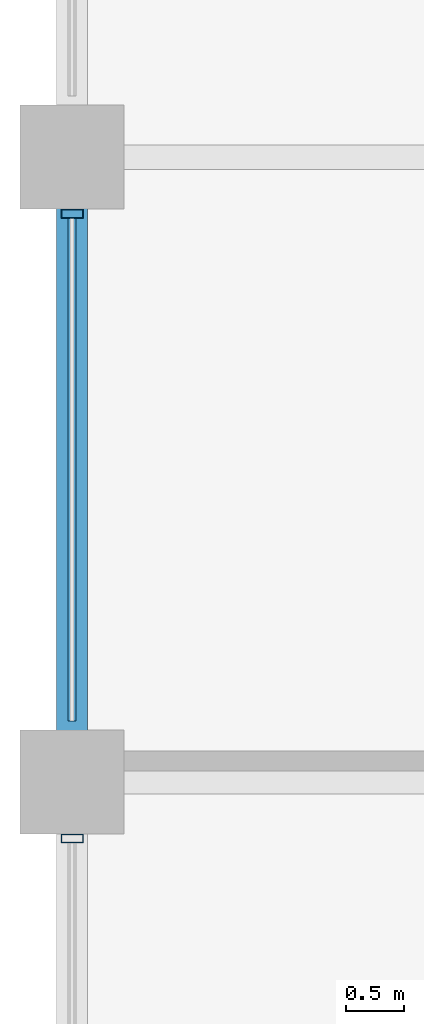
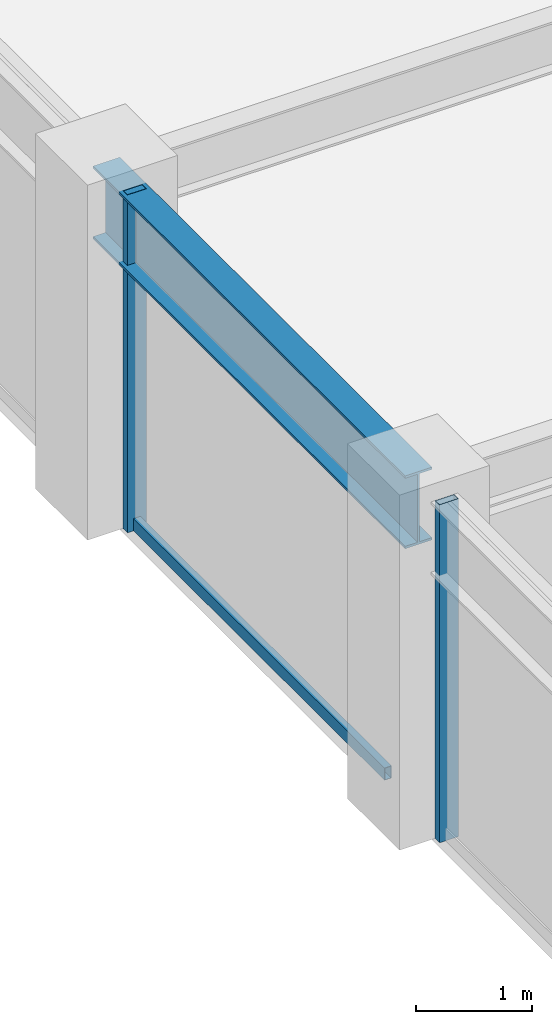
# One storey, part 10 of 32: 3 members, 1 beam, 1 element without a shape of its own.
"""IFC4 building model written with IfcOpenShell, lengths in metres."""

import ifcopenshell
import ifcopenshell.guid

model = None  # the IFC model being written
_history = None  # IfcOwnerHistory: only IFC2X3 demands one
_inside = {}  # id of a spatial element -> (the spatial element, [elements in it])
_under = {}  # id of a project, library or spatial element -> (it, [spatial elements below it])
_declared = {}  # id of a project -> (the project, [libraries it declares])
_typed = {}  # id of a type object -> (the type object, [elements of that type])
_made_of = {}  # id of a material, layer set ... -> (it, [elements and type objects made of it])


def new_model(schema):
    """Start an empty IFC model of exactly this schema.

    Asked for "IFC4X3", IfcOpenShell would pick the latest addendum, in which some entities
    have other attributes; the version numbers below select the first issue.
    IFC2X3 requires an IfcOwnerHistory on every rooted entity: one is made here for all.
    """
    global model, _history
    if schema == "IFC4X3":
        model = ifcopenshell.file(schema_version=(4, 3, 0, 0))
    else:
        model = ifcopenshell.file(schema=schema)
    _inside.clear()
    _under.clear()
    _declared.clear()
    _typed.clear()
    _made_of.clear()
    _history = None
    if model.schema == "IFC2X3":
        org = make("IfcOrganization", Name="unknown")
        user = make(
            "IfcPersonAndOrganization",
            ThePerson=make("IfcPerson", FamilyName="unknown"),
            TheOrganization=org,
        )
        app = make(
            "IfcApplication",
            ApplicationDeveloper=org,
            Version="unknown",
            ApplicationFullName="unknown",
            ApplicationIdentifier="unknown",
        )
        _history = make(
            "IfcOwnerHistory",
            OwningUser=user,
            OwningApplication=app,
            ChangeAction="ADDED",
            CreationDate=0,
        )
    return model


def make(cls, **values):
    """One entity of the class cls with the attributes given. An attribute that is None is left unset."""
    return model.create_entity(
        cls, **{name: value for name, value in values.items() if value is not None}
    )


def rooted(cls, **values):
    """An entity with a GlobalId (a new one), such as an element, a storey or a relation."""
    return make(cls, GlobalId=ifcopenshell.guid.new(), OwnerHistory=_history, **values)


def si_unit(unit_type, name, prefix=None):
    """IfcSIUnit, for example si_unit("LENGTHUNIT", "METRE", prefix="MILLI")."""
    return make("IfcSIUnit", UnitType=unit_type, Prefix=prefix, Name=name)


def assignment(units):
    """IfcUnitAssignment: the units of a project."""
    return None if units is None else make("IfcUnitAssignment", Units=units)


def point(xyz):
    """IfcCartesianPoint."""
    return None if xyz is None else make("IfcCartesianPoint", Coordinates=xyz)


def direction(xyz):
    """IfcDirection."""
    return None if xyz is None else make("IfcDirection", DirectionRatios=xyz)


def frame(location, z_axis=None, x_axis=None):
    """IfcAxis2Placement3D, a coordinate frame: its origin and axes. An axis left out is left unset."""
    return make(
        "IfcAxis2Placement3D",
        Location=point(location),
        Axis=direction(z_axis),
        RefDirection=direction(x_axis),
    )


def frame_2d(location, x_axis=None):
    """IfcAxis2Placement2D, a coordinate frame in the plane: its origin and x axis."""
    return make(
        "IfcAxis2Placement2D", Location=point(location), RefDirection=direction(x_axis)
    )


def origin():
    """The frame at (0, 0, 0) with its axes left unset."""
    return frame((0.0, 0.0, 0.0))


def origin_2d():
    """The frame at (0, 0) in the plane with its x axis left unset."""
    return frame_2d((0.0, 0.0))


def place(relative_to, where):
    """IfcLocalPlacement: puts the frame where relative to a parent placement (None: the world)."""
    return make(
        "IfcLocalPlacement", PlacementRelTo=relative_to, RelativePlacement=where
    )


def context(
    kind, dimensions, precision=None, world=None, true_north=None, identifier=None
):
    """IfcGeometricRepresentationContext, for example the 3D "Model" context."""
    return make(
        "IfcGeometricRepresentationContext",
        ContextIdentifier=identifier,
        ContextType=kind,
        CoordinateSpaceDimension=dimensions,
        Precision=precision,
        WorldCoordinateSystem=world,
        TrueNorth=true_north,
    )


def subcontext(parent, identifier, kind, view, scale=None):
    """IfcGeometricRepresentationSubContext, for example "Body" below "Model"."""
    return make(
        "IfcGeometricRepresentationSubContext",
        ContextIdentifier=identifier,
        ContextType=kind,
        ParentContext=parent,
        TargetScale=scale,
        TargetView=view,
    )


def project(units=None, contexts=None):
    """IfcProject with its units and contexts."""
    return rooted(
        "IfcProject",
        Name="project",
        RepresentationContexts=contexts,
        UnitsInContext=assignment(units),
    )


def spatial(cls, under=None, at=None, **own):
    """A site, building, storey or space (cls), placed at a placement, below another one or the project."""
    s = rooted(cls, ObjectPlacement=at, **own)
    if under is not None:
        _under.setdefault(under.id(), (under, []))[1].append(s)
    return s


def profile(cls, at=None, kind="AREA", **sizes):
    """A parametric profile (cls). Its sizes go by their IFC names, for example OverallWidth=200.0."""
    return make(cls, ProfileType=kind, Position=at, **sizes)


def hollow_rectangle(**sizes):
    """IfcRectangleHollowProfileDef."""
    return profile("IfcRectangleHollowProfileDef", **sizes)


def i_section(**sizes):
    """IfcIShapeProfileDef."""
    return profile("IfcIShapeProfileDef", **sizes)


def extrude(swept, where, along, depth):
    """IfcExtrudedAreaSolid: the profile swept, set in the frame where, extruded along a direction by depth."""
    return make(
        "IfcExtrudedAreaSolid",
        SweptArea=swept,
        Position=where,
        ExtrudedDirection=direction(along),
        Depth=depth,
    )


def shape(context_of_items, identifier, shape_type, items):
    """IfcShapeRepresentation: the items that make up one representation, for example the "Body"."""
    return make(
        "IfcShapeRepresentation",
        ContextOfItems=context_of_items,
        RepresentationIdentifier=identifier,
        RepresentationType=shape_type,
        Items=items,
    )


def material(Name=None, Category=None):
    """IfcMaterial."""
    return make("IfcMaterial", Name=Name, Category=Category)


def layer(
    of_material, thickness, ventilated=None, Name=None, Category=None, Priority=None
):
    """IfcMaterialLayer: one layer of a wall or slab, of a material (None: an air gap)."""
    return make(
        "IfcMaterialLayer",
        Material=of_material,
        LayerThickness=thickness,
        IsVentilated=ventilated,
        Name=Name,
        Category=Category,
        Priority=Priority,
    )


def layer_set(layers, Name=None):
    """IfcMaterialLayerSet."""
    return make("IfcMaterialLayerSet", MaterialLayers=layers, LayerSetName=Name)


def material_profile(
    of_material, cross_section, Name=None, Category=None, Priority=None
):
    """IfcMaterialProfile: a cross section and its material."""
    return make(
        "IfcMaterialProfile",
        Name=Name,
        Material=of_material,
        Profile=cross_section,
        Priority=Priority,
        Category=Category,
    )


def profile_set(profiles, Name=None, composite=None):
    """IfcMaterialProfileSet."""
    return make(
        "IfcMaterialProfileSet",
        Name=Name,
        MaterialProfiles=profiles,
        CompositeProfile=composite,
    )


def made_of(thing, what):
    """Note that an element or type object is made of a material, layer set ...; save() writes the relation."""
    if what is not None:
        _made_of.setdefault(what.id(), (what, []))[1].append(thing)
    return thing


def type_object(cls, material=None, **own):
    """A type object (cls), such as IfcWallType, which elements share."""
    return made_of(rooted(cls, **own), material)


def element(
    cls,
    number,
    at=None,
    inside=None,
    cuts=None,
    type_object=None,
    material=None,
    context=None,
    identifier="Body",
    shape_type=None,
    held_by="IfcProductDefinitionShape",
    body=None,
    shapes=None,
    **own,
):
    """One element of the class cls, such as IfcWall. Its Tag is "e" and its number.

    at: its placement. inside: the storey or other place that contains it. cuts: it is an
    opening in that element (IfcRelVoidsElement). A single representation is given by context,
    identifier, shape_type and body (its items); several are given by shapes. held_by: the class
    of the entity that holds the representations. save() writes the other relations.
    """
    e = rooted(cls, Tag="e%d" % number, ObjectPlacement=at, **own)
    if body is not None:
        shapes = [shape(context, identifier, shape_type, body)]
    if shapes is not None:
        e.Representation = make(held_by, Representations=shapes)
    if inside is not None:
        _inside.setdefault(inside.id(), (inside, []))[1].append(e)
    if cuts is not None:
        rooted(
            "IfcRelVoidsElement", RelatingBuildingElement=cuts, RelatedOpeningElement=e
        )
    if type_object is not None:
        _typed.setdefault(type_object.id(), (type_object, []))[1].append(e)
    return made_of(e, material)


def aggregate(whole, parts):
    """IfcRelAggregates: a whole, such as a stair, and the parts it consists of."""
    return rooted("IfcRelAggregates", RelatingObject=whole, RelatedObjects=parts)


def save(model, path):
    """Write the relations noted so far, then the file.

    IfcRelAggregates (storeys below a building ...), IfcRelContainedInSpatialStructure (elements
    in a storey), IfcRelDefinesByType, IfcRelAssociatesMaterial and IfcRelDeclares: one each for
    every whole, place, type object, material and project.
    """
    for whole, parts in _under.values():
        aggregate(whole, parts)
    for where, things in _inside.values():
        rooted(
            "IfcRelContainedInSpatialStructure",
            RelatedElements=things,
            RelatingStructure=where,
        )
    for kind, things in _typed.values():
        rooted("IfcRelDefinesByType", RelatedObjects=things, RelatingType=kind)
    for what, things in _made_of.values():
        rooted("IfcRelAssociatesMaterial", RelatedObjects=things, RelatingMaterial=what)
    for by, libraries in _declared.values():
        rooted("IfcRelDeclares", RelatingContext=by, RelatedDefinitions=libraries)
    model.write(path)


model = new_model("IFC4")

# Units and contexts
model_context = context("Model", 3, precision=1e-05, world=origin(), true_north=direction((0.0, 1.0)))
body_context = subcontext(model_context, "Body", "Model", "MODEL_VIEW")
ifc_project = project(units=[si_unit("LENGTHUNIT", "METRE"), si_unit("AREAUNIT", "SQUARE_METRE"), si_unit("VOLUMEUNIT", "CUBIC_METRE"), si_unit("PLANEANGLEUNIT", "RADIAN"), si_unit("MASSUNIT", "GRAM", prefix="KILO")], contexts=[model_context])

# Site, building, storey
site_placement = place(None, origin())
site = spatial("IfcSite", under=ifc_project, at=site_placement, CompositionType="ELEMENT")
building_placement = place(site_placement, origin())
building = spatial("IfcBuilding", under=site, at=building_placement, Name="Surkhivell Harbour Commons", CompositionType="ELEMENT")
storey_placement = place(building_placement, frame((0.0, 0.0, 208.5)))
storey = spatial("IfcBuildingStorey", under=building, at=storey_placement, Name="L54", CompositionType="ELEMENT", Elevation=208.5)

# Beam
ifc_material_1 = material(Name="Steel S355", Category="steel")
ifc_material_profile_1 = material_profile(ifc_material_1, i_section(OverallWidth=0.26806640625, OverallDepth=0.77001953125, WebThickness=0.015625, FlangeThickness=0.025390625, at=origin_2d()), Name="UB762x267x197")
ifc_profile_set_1 = profile_set([ifc_material_profile_1], Name="Steel S355")
beam_type = type_object("IfcBeamType", Name="BM-SPN-762", PredefinedType="SPANDREL", material=ifc_profile_set_1)
beam_placement = place(storey_placement, frame((-27.0, 5.39990234375, 3.18505859375), z_axis=(0.0, 1.0, 0.0), x_axis=(-1.0, 0.0, 0.0)))
element("IfcBeam", 1, at=beam_placement, inside=storey, type_object=beam_type, Name="L54 Tube Spandrel (-27.0,5.4)", PredefinedType="SPANDREL", context=body_context, shape_type="SweptSolid", body=[
    extrude(i_section(OverallWidth=0.26806640625, OverallDepth=0.77001953125, WebThickness=0.015625, FlangeThickness=0.025390625, at=origin_2d()), origin(), (0.0, 0.0, 1.0), 5.400146484375),
])

# Curtain wall, members
ifc_material_2 = material(Name="Anodised pale-metal aluminium and insulated glazing", Category="aluminium")
ifc_layer = layer(ifc_material_2, 0.18994140625)
ifc_layer_set = layer_set([ifc_layer], Name="Anodised pale-metal aluminium and insulated glazing")
curtain_wall_type = type_object("IfcCurtainWallType", Name="CW-SYS-Z3", PredefinedType="NOTDEFINED", material=ifc_layer_set)
curtain_wall_placement = place(storey_placement, origin())
curtain_wall = element("IfcCurtainWall", 2, at=curtain_wall_placement, inside=storey, type_object=curtain_wall_type, Name="L54 Curtain Wall CW-L54-E12S1", PredefinedType="NOTDEFINED")
ifc_material_3 = material(Name="Anodised pale-metal aluminium alloy 6063-T6", Category="aluminium")
ifc_material_profile_2 = material_profile(ifc_material_3, hollow_rectangle(XDim=0.074951171875, YDim=0.18994140625, WallThickness=0.00390625, at=origin_2d()), Name="ALU-MULL-75x190")
ifc_profile_set_2 = profile_set([ifc_material_profile_2], Name="Anodised pale-metal aluminium alloy 6063-T6")
member_type_1 = type_object("IfcMemberType", Name="CWM-190", PredefinedType="MULLION", material=ifc_profile_set_2)
member_1_placement = place(storey_placement, frame((-27.0, 10.310546875, 0.0), z_axis=(0.0, 0.0, 1.0), x_axis=(0.0, -1.0, 0.0)))
member_1 = element("IfcMember", 3, at=member_1_placement, type_object=member_type_1, Name="CW-Z3 mullion 3", PredefinedType="MULLION", context=body_context, shape_type="SweptSolid", body=[
    extrude(hollow_rectangle(XDim=0.074951171875, YDim=0.18994140625, WallThickness=0.00390625, at=origin_2d()), origin(), (0.0, 0.0, 1.0), 3.570068359375),
])
member_2_placement = place(storey_placement, frame((-27.0, 4.910400390625, 0.0), z_axis=(0.0, 0.0, 1.0), x_axis=(0.0, -1.0, 0.0)))
member_2 = element("IfcMember", 4, at=member_2_placement, type_object=member_type_1, Name="CW-Z3 mullion 4", PredefinedType="MULLION", context=body_context, shape_type="SweptSolid", body=[
    extrude(hollow_rectangle(XDim=0.074951171875, YDim=0.18994140625, WallThickness=0.00390625, at=origin_2d()), origin(), (0.0, 0.0, 1.0), 3.570068359375),
])
ifc_material_4 = material(Name="Champagne anodised aluminium alloy 6063-T6", Category="aluminium")
ifc_material_profile_3 = material_profile(ifc_material_4, hollow_rectangle(XDim=0.070068359375, YDim=0.1298828125, WallThickness=0.00341796875, at=origin_2d()), Name="ALU-TRAN-70x130")
ifc_profile_set_3 = profile_set([ifc_material_profile_3], Name="Champagne anodised aluminium alloy 6063-T6")
member_type_2 = type_object("IfcMemberType", Name="CWT-130", PredefinedType="USERDEFINED", material=ifc_profile_set_3)
member_3_placement = place(storey_placement, frame((-27.0, 10.27294921875, 0.06494140625), z_axis=(0.0, -1.0, 0.0), x_axis=(1.0, 0.0, 0.0)))
member_3 = element("IfcMember", 5, at=member_3_placement, type_object=member_type_2, Name="CW-Z3 transom 3.1", ObjectType="TRANSOM", PredefinedType="USERDEFINED", context=body_context, shape_type="SweptSolid", body=[
    extrude(hollow_rectangle(XDim=0.070068359375, YDim=0.1298828125, WallThickness=0.00341796875, at=origin_2d()), origin(), (0.0, 0.0, 1.0), 4.345947265625),
])
aggregate(curtain_wall, [member_1, member_3, member_2])

save(model, "model.ifc")
